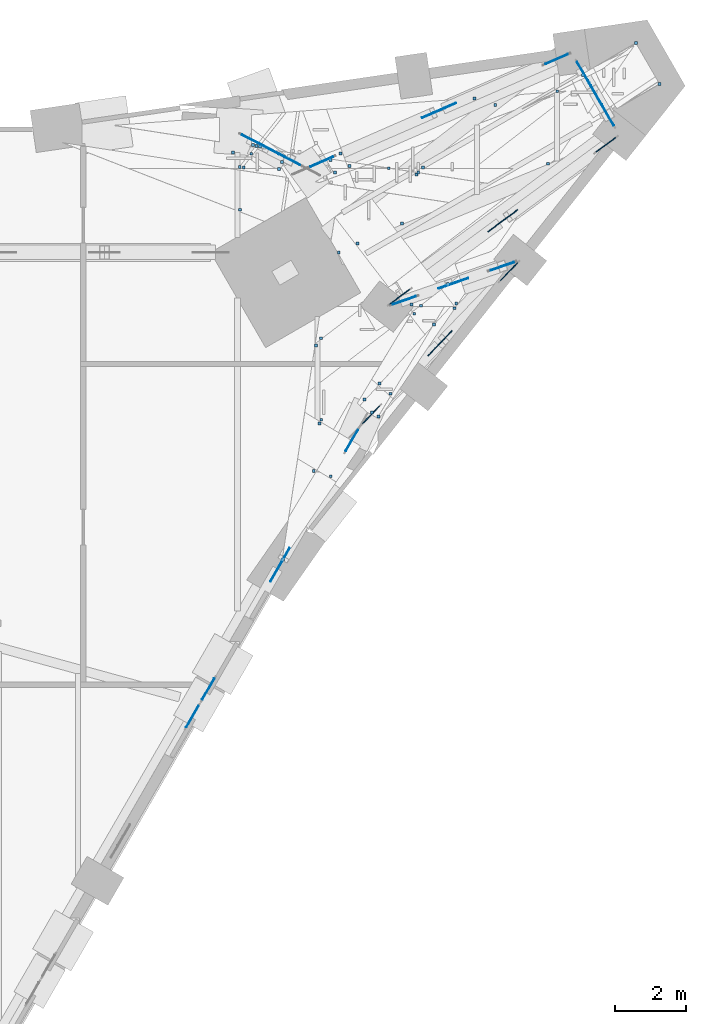
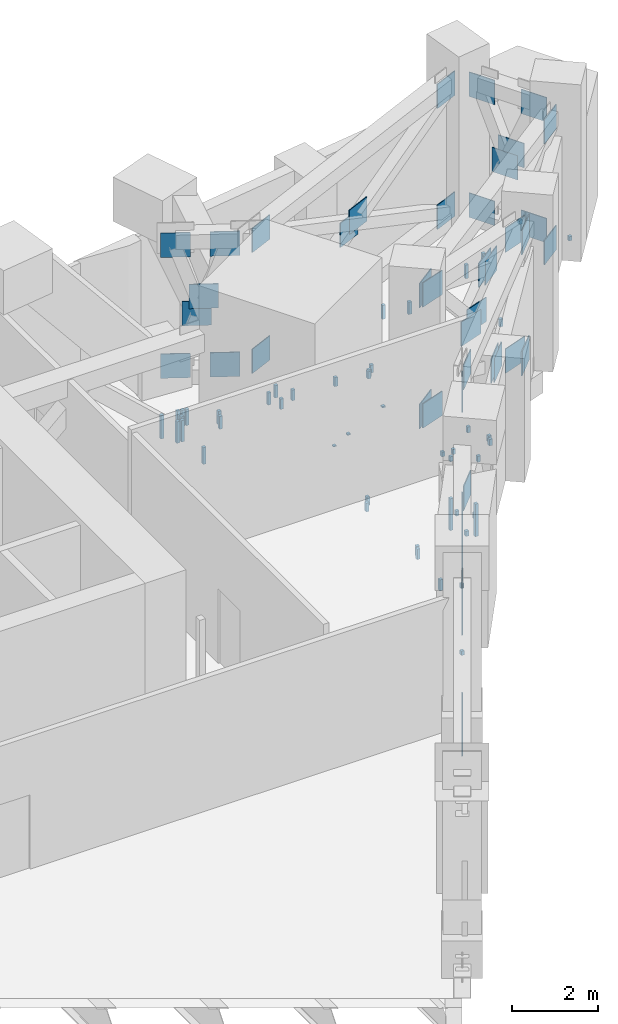
# One storey, part 20 of 22: 91 discrete accessories.
"""IFC4 building model written with IfcOpenShell, lengths in metres."""

from ifc_helpers import new_model, si_unit, direction, frame, origin, origin_2d, place, context, subcontext, project, spatial, rectangle, extrude, material, type_object, element, save


model = new_model("IFC4")

# Units and contexts
model_context = context("Model", 3, precision=1e-05, world=origin(), true_north=direction((0.0, 1.0)))
body_context = subcontext(model_context, "Body", "Model", "MODEL_VIEW")
ifc_project = project(units=[si_unit("LENGTHUNIT", "METRE"), si_unit("AREAUNIT", "SQUARE_METRE"), si_unit("VOLUMEUNIT", "CUBIC_METRE"), si_unit("PLANEANGLEUNIT", "RADIAN"), si_unit("MASSUNIT", "GRAM", prefix="KILO")], contexts=[model_context])

# Site, building, storey
site_placement = place(None, origin())
site = spatial("IfcSite", under=ifc_project, at=site_placement, CompositionType="ELEMENT")
building_placement = place(site_placement, origin())
building = spatial("IfcBuilding", under=site, at=building_placement, Name="Calabash Gate Tower", CompositionType="ELEMENT")
storey_placement = place(building_placement, frame((0.0, 0.0, 86.800048828125)))
storey = spatial("IfcBuildingStorey", under=building, at=storey_placement, Name="L18", CompositionType="ELEMENT", Elevation=86.800048828125)

# Discrete accessories
ifc_material_1 = material(Name="Steel ASTM A572 Gr50", Category="steel")
discrete_accessory_type_1 = type_object("IfcDiscreteAccessoryType", Name="Connection plate 25", PredefinedType="BRACKET", material=ifc_material_1)
for number, where, z_axis, x_axis, name in (
    (1, (23.472412109375, 2.550537109375, 3.4794921875), (0.0, 0.0, 1.0), (0.49999993954, 0.866025438691, 0.0), "Connection plate Belt diagonal L18 53 end"),
    (2, (23.472412109375, 2.550537109375, 0.0625), (0.0, 0.0, 1.0), (0.499999894195, 0.866025464871, 0.0), "Connection plate Belt diagonal (split) L18 55 half 2 of 2 end"),
    (3, (23.92236328125, 3.329833984375, 0.0625), (0.0, 0.0, 1.0), (0.49999993954, 0.866025438691, 0.0), "Connection plate Belt diagonal L18 58 start"),
    (4, (27.969970703125, 10.340576171875, 3.4794921875), (0.0, 0.0, 1.0), (0.49999993954, 0.866025438691, 0.0), "Connection plate Belt diagonal L18 58 end"),
    (5, (23.92236328125, 3.329833984375, 3.4794921875), (0.0, 0.0, 1.0), (0.49999996977, 0.866025421238, 0.0), "Connection plate Belt diagonal (split) L18 59 half 1 of 2 start"),
    (6, (25.848388671875, 6.66552734375, 1.85400390625), (0.0, 0.0, 1.0), (0.49999996977, 0.866025421238, 0.0), "Connection plate Belt diagonal (split) L18 59 half 1 of 2 end"),
    (7, (26.044189453125, 7.0048828125, 1.6884765625), (0.0, 0.0, 1.0), (0.49999996977, 0.866025421238, 0.0), "Connection plate Belt diagonal (split) L18 60 half 2 of 2 start"),
    (8, (27.969970703125, 10.340576171875, 0.0625), (0.0, 0.0, 1.0), (0.49999996977, 0.866025421238, 0.0), "Connection plate Belt diagonal (split) L18 60 half 2 of 2 end"),
    (9, (28.51123046875, 11.059814453125, 0.0625), (0.0, 0.0, 1.0), (0.694061889616, 0.719915337649, 0.0), "Connection plate Belt diagonal L18 63 start"),
    (10, (32.405029296875, 15.0986328125, 3.4794921875), (0.0, 0.0, 1.0), (0.694061889616, 0.719915337649, 0.0), "Connection plate Belt diagonal L18 63 end"),
    (11, (28.51123046875, 11.059814453125, 3.4794921875), (0.0, 0.0, 1.0), (0.694061977571, 0.719915252853, 0.0), "Connection plate Belt diagonal (split) L18 64 half 1 of 2 start"),
    (12, (30.3564453125, 12.973876953125, 1.8603515625), (0.0, 0.0, 1.0), (0.694061977571, 0.719915252853, 0.0), "Connection plate Belt diagonal (split) L18 64 half 1 of 2 end"),
    (13, (30.559814453125, 13.184814453125, 1.681640625), (0.0, 0.0, 1.0), (0.694061977571, 0.719915252853, 0.0), "Connection plate Belt diagonal (split) L18 65 half 2 of 2 start"),
    (14, (32.405029296875, 15.0986328125, 0.0625), (0.0, 0.0, 1.0), (0.694061977571, 0.719915252853, 0.0), "Connection plate Belt diagonal (split) L18 65 half 2 of 2 end"),
    (15, (32.21484375, 15.249267578125, 0.0625), (0.0, 0.0, 1.0), (-0.944636786911, -0.328117876403, 0.0), "Connection plate Belt diagonal L18 68 start"),
    (16, (29.44921875, 14.28857421875, 3.4794921875), (0.0, 0.0, 1.0), (-0.944636786911, -0.328117876403, 0.0), "Connection plate Belt diagonal L18 68 end"),
    (17, (32.21484375, 15.249267578125, 3.4794921875), (0.0, 0.0, 1.0), (-0.944636695283, -0.328118140195, 0.0), "Connection plate Belt diagonal (split) L18 69 half 1 of 2 start"),
    (18, (30.927001953125, 14.8017578125, 1.88818359375), (0.0, 0.0, 1.0), (-0.944636695283, -0.328118140195, 0.0), "Connection plate Belt diagonal (split) L18 69 half 1 of 2 end"),
    (19, (30.7373046875, 14.73583984375, 1.65380859375), (0.0, 0.0, 1.0), (-0.944636695283, -0.328118140195, 0.0), "Connection plate Belt diagonal (split) L18 70 half 2 of 2 start"),
    (20, (29.44921875, 14.28857421875, 0.0625), (0.0, 0.0, 1.0), (-0.944636695283, -0.328118140195, 0.0), "Connection plate Belt diagonal (split) L18 70 half 2 of 2 end"),
    (21, (29.32080078125, 14.390380859375, 0.0625), (0.0, 0.0, 1.0), (0.804879628595, 0.593438104163, 0.0), "Connection plate Belt diagonal L18 73 start"),
    (22, (35.135009765625, 18.677001953125, 3.4794921875), (0.0, 0.0, 1.0), (0.804879628595, 0.593438104163, 0.0), "Connection plate Belt diagonal L18 73 end"),
    (23, (29.32080078125, 14.390380859375, 3.4794921875), (0.0, 0.0, 1.0), (0.804879597523, 0.593438146306, 0.0), "Connection plate Belt diagonal (split) L18 74 half 1 of 2 start"),
    (24, (32.08447265625, 16.427978515625, 1.85546875), (0.0, 0.0, 1.0), (0.804879597523, 0.593438146306, 0.0), "Connection plate Belt diagonal (split) L18 74 half 1 of 2 end"),
    (25, (32.371337890625, 16.639404296875, 1.68701171875), (0.0, 0.0, 1.0), (0.804879597523, 0.593438146306, 0.0), "Connection plate Belt diagonal (split) L18 75 half 2 of 2 start"),
    (26, (35.135009765625, 18.677001953125, 0.0625), (0.0, 0.0, 1.0), (0.804879597523, 0.593438146306, 0.0), "Connection plate Belt diagonal (split) L18 75 half 2 of 2 end"),
    (27, (35.1875, 19.512939453125, 0.0625), (0.0, 0.0, 1.0), (-0.500000136035, 0.866025325245, 0.0), "Connection plate Belt diagonal L18 78 start"),
    (28, (34.492431640625, 20.716796875, 3.4794921875), (0.0, 0.0, 1.0), (-0.500000136035, 0.866025325245, 0.0), "Connection plate Belt diagonal L18 78 end"),
    (29, (35.1875, 19.512939453125, 3.4794921875), (0.0, 0.0, 1.0), (-0.49999990931, 0.866025456144, 0.0), "Connection plate Belt diagonal (split) L18 79 half 1 of 2 start"),
    (30, (34.881103515625, 20.043701171875, 1.97314453125), (0.0, 0.0, 1.0), (-0.49999990931, 0.866025456144, 0.0), "Connection plate Belt diagonal (split) L18 79 half 1 of 2 end"),
    (31, (34.798828125, 20.18603515625, 1.56884765625), (0.0, 0.0, 1.0), (-0.49999990931, 0.866025456144, 0.0), "Connection plate Belt diagonal (split) L18 80 half 2 of 2 start"),
    (32, (34.492431640625, 20.716796875, 0.0625), (0.0, 0.0, 1.0), (-0.49999990931, 0.866025456144, 0.0), "Connection plate Belt diagonal (split) L18 80 half 2 of 2 end"),
    (33, (33.7421875, 21.089111328125, 0.0625), (0.0, 0.0, 1.0), (-0.916372357947, -0.400326993334, 0.0), "Connection plate Belt diagonal L18 83 start"),
    (34, (27.122802734375, 18.197265625, 3.4794921875), (0.0, 0.0, 1.0), (-0.916372357947, -0.400326993334, 0.0), "Connection plate Belt diagonal L18 83 end"),
    (35, (33.7421875, 21.089111328125, 3.4794921875), (0.0, 0.0, 1.0), (-0.916372385895, -0.400326929359, 0.0), "Connection plate Belt diagonal (split) L18 84 half 1 of 2 start"),
    (36, (30.595703125, 19.714599609375, 1.85546875), (0.0, 0.0, 1.0), (-0.916372385895, -0.400326929359, 0.0), "Connection plate Belt diagonal (split) L18 84 half 1 of 2 end"),
    (37, (30.269287109375, 19.572021484375, 1.68701171875), (0.0, 0.0, 1.0), (-0.916372385895, -0.400326929359, 0.0), "Connection plate Belt diagonal (split) L18 85 half 2 of 2 start"),
    (38, (27.122802734375, 18.197265625, 0.0625), (0.0, 0.0, 1.0), (-0.916372385895, -0.400326929359, 0.0), "Connection plate Belt diagonal (split) L18 85 half 2 of 2 end"),
    (39, (26.202880859375, 18.2666015625, 0.0625), (0.0, 0.0, 1.0), (-0.887185827756, 0.461412296139, 0.0), "Connection plate Belt diagonal L18 88 start"),
    (40, (25.18408203125, 18.79638671875, 3.4794921875), (0.0, 0.0, 1.0), (-0.887185827756, 0.461412296139, 0.0), "Connection plate Belt diagonal L18 88 end"),
    (41, (26.202880859375, 18.2666015625, 3.4794921875), (0.0, 0.0, 1.0), (-0.887185666693, 0.461412605826, 0.0), "Connection plate Belt diagonal (split) L18 89 half 1 of 2 start"),
    (42, (25.764892578125, 18.494384765625, 2.01025390625), (0.0, 0.0, 1.0), (-0.887185666693, 0.461412605826, 0.0), "Connection plate Belt diagonal (split) L18 89 half 1 of 2 end"),
    (43, (25.622314453125, 18.568603515625, 1.53173828125), (0.0, 0.0, 1.0), (-0.887185666693, 0.461412605826, 0.0), "Connection plate Belt diagonal (split) L18 90 half 2 of 2 start"),
    (44, (25.18408203125, 18.79638671875, 0.0625), (0.0, 0.0, 1.0), (-0.887185666693, 0.461412605826, 0.0), "Connection plate Belt diagonal (split) L18 90 half 2 of 2 end"),
):
    element("IfcDiscreteAccessory", number, at=place(storey_placement, frame(where, z_axis=z_axis, x_axis=x_axis)), inside=storey, type_object=discrete_accessory_type_1, Name=name, PredefinedType="BRACKET", context=body_context, shape_type="SweptSolid", body=[
        extrude(rectangle(XDim=0.687744140625, YDim=0.02490234375, at=origin_2d()), origin(), (0.0, 0.0, 1.0), 0.687744140625),
    ])
ifc_material_2 = material(Name="Stainless steel 316 bracket", Category="steel")
discrete_accessory_type_2 = type_object("IfcDiscreteAccessoryType", Name="Soffit bracket 80x80x120", PredefinedType="BRACKET", material=ifc_material_2)
discrete_accessory_1_placement = place(storey_placement, frame((33.501708984375, 18.1396484375, -0.9833984375), z_axis=(0.0, 0.0, 1.0), x_axis=(1.0, 0.0, 0.0)))
element("IfcDiscreteAccessory", 45, at=discrete_accessory_1_placement, inside=storey, type_object=discrete_accessory_type_2, Name="Soffit bracket Z2 NE SOF-Z2-NE-01", PredefinedType="BRACKET", context=body_context, shape_type="SweptSolid", body=[
    extrude(rectangle(XDim=0.080078125, YDim=0.080078125, at=origin_2d()), origin(), (0.0, 0.0, 1.0), 0.21337890625),
])
discrete_accessory_2_placement = place(storey_placement, frame((29.981689453125, 18.03271484375, -0.9921875), z_axis=(0.0, 0.0, 1.0), x_axis=(1.0, 0.0, 0.0)))
element("IfcDiscreteAccessory", 46, at=discrete_accessory_2_placement, inside=storey, type_object=discrete_accessory_type_2, Name="Soffit bracket Z2 NE SOF-Z2-NE-02", PredefinedType="BRACKET", context=body_context, shape_type="SweptSolid", body=[
    extrude(rectangle(XDim=0.080078125, YDim=0.080078125, at=origin_2d()), origin(), (0.0, 0.0, 1.0), 0.22216796875),
])
discrete_accessory_3_placement = place(storey_placement, frame((29.384521484375, 16.454345703125, -0.8095703125), z_axis=(0.0, 0.0, 1.0), x_axis=(1.0, 0.0, 0.0)))
element("IfcDiscreteAccessory", 47, at=discrete_accessory_3_placement, inside=storey, type_object=discrete_accessory_type_2, Name="Soffit bracket Z2 NE SOF-Z2-NE-03", PredefinedType="BRACKET", context=body_context, shape_type="SweptSolid", body=[
    extrude(rectangle(XDim=0.080078125, YDim=0.080078125, at=origin_2d()), origin(), (0.0, 0.0, 1.0), 0.03955078125),
])
discrete_accessory_4_placement = place(storey_placement, frame((32.01708984375, 19.794677734375, -1.1181640625), z_axis=(0.0, 0.0, 1.0), x_axis=(1.0, 0.0, 0.0)))
element("IfcDiscreteAccessory", 48, at=discrete_accessory_4_placement, inside=storey, type_object=discrete_accessory_type_2, Name="Soffit bracket Z2 NE SOF-Z2-NE-05", PredefinedType="BRACKET", context=body_context, shape_type="SweptSolid", body=[
    extrude(rectangle(XDim=0.080078125, YDim=0.080078125, at=origin_2d()), origin(), (0.0, 0.0, 1.0), 0.34814453125),
])
discrete_accessory_5_placement = place(storey_placement, frame((24.818603515625, 16.844970703125, -1.042724609375), z_axis=(0.0, 0.0, 1.0), x_axis=(1.0, 0.0, 0.0)))
element("IfcDiscreteAccessory", 49, at=discrete_accessory_5_placement, inside=storey, type_object=discrete_accessory_type_2, Name="Soffit bracket Z2 NE SOF-Z2-NE-06", PredefinedType="BRACKET", context=body_context, shape_type="SweptSolid", body=[
    extrude(rectangle(XDim=0.080078125, YDim=0.080078125, at=origin_2d()), origin(), (0.0, 0.0, 1.0), 0.47412109375),
])
discrete_accessory_6_placement = place(storey_placement, frame((24.620361328125, 18.456787109375, -1.23193359375), z_axis=(0.0, 0.0, 1.0), x_axis=(1.0, 0.0, 0.0)))
element("IfcDiscreteAccessory", 50, at=discrete_accessory_6_placement, inside=storey, type_object=discrete_accessory_type_2, Name="Soffit bracket Z2 NE SOF-Z2-NE-07", PredefinedType="BRACKET", context=body_context, shape_type="SweptSolid", body=[
    extrude(rectangle(XDim=0.080078125, YDim=0.080078125, at=origin_2d()), origin(), (0.0, 0.0, 1.0), 0.663330078125),
])
discrete_accessory_7_placement = place(storey_placement, frame((30.67333984375, 14.748046875, -0.9326171875), z_axis=(0.0, 0.0, 1.0), x_axis=(1.0, 0.0, 0.0)))
element("IfcDiscreteAccessory", 51, at=discrete_accessory_7_placement, inside=storey, type_object=discrete_accessory_type_2, Name="Soffit bracket Z2 NE SOF-Z2-NE-08", PredefinedType="BRACKET", context=body_context, shape_type="SweptSolid", body=[
    extrude(rectangle(XDim=0.080078125, YDim=0.080078125, at=origin_2d()), origin(), (0.0, 0.0, 1.0), 0.162841796875),
])
discrete_accessory_8_placement = place(storey_placement, frame((27.106689453125, 10.92236328125, -0.860595703125), z_axis=(0.0, 0.0, 1.0), x_axis=(1.0, 0.0, 0.0)))
element("IfcDiscreteAccessory", 52, at=discrete_accessory_8_placement, inside=storey, type_object=discrete_accessory_type_2, Name="Soffit bracket Z2 NE SOF-Z2-NE-09", PredefinedType="BRACKET", context=body_context, shape_type="SweptSolid", body=[
    extrude(rectangle(XDim=0.080078125, YDim=0.080078125, at=origin_2d()), origin(), (0.0, 0.0, 1.0), 0.2919921875),
])
discrete_accessory_9_placement = place(storey_placement, frame((28.128662109375, 15.892822265625, -0.8095703125), z_axis=(0.0, 0.0, 1.0), x_axis=(1.0, 0.0, 0.0)))
element("IfcDiscreteAccessory", 53, at=discrete_accessory_9_placement, inside=storey, type_object=discrete_accessory_type_2, Name="Soffit bracket Z2 NE SOF-Z2-NE-10", PredefinedType="BRACKET", context=body_context, shape_type="SweptSolid", body=[
    extrude(rectangle(XDim=0.080078125, YDim=0.080078125, at=origin_2d()), origin(), (0.0, 0.0, 1.0), 0.03955078125),
])
discrete_accessory_10_placement = place(storey_placement, frame((31.42578125, 19.9833984375, -1.16064453125), z_axis=(0.0, 0.0, 1.0), x_axis=(1.0, 0.0, 0.0)))
element("IfcDiscreteAccessory", 54, at=discrete_accessory_10_placement, inside=storey, type_object=discrete_accessory_type_2, Name="Soffit bracket Z2 NE SOF-Z2-NE-11", PredefinedType="BRACKET", context=body_context, shape_type="SweptSolid", body=[
    extrude(rectangle(XDim=0.080078125, YDim=0.080078125, at=origin_2d()), origin(), (0.0, 0.0, 1.0), 0.390625),
])
discrete_accessory_11_placement = place(storey_placement, frame((29.7958984375, 17.842529296875, -0.9775390625), z_axis=(0.0, 0.0, 1.0), x_axis=(1.0, 0.0, 0.0)))
element("IfcDiscreteAccessory", 55, at=discrete_accessory_11_placement, inside=storey, type_object=discrete_accessory_type_2, Name="Soffit bracket Z2 NE SOF-Z2-NE-12", PredefinedType="BRACKET", context=body_context, shape_type="SweptSolid", body=[
    extrude(rectangle(XDim=0.080078125, YDim=0.080078125, at=origin_2d()), origin(), (0.0, 0.0, 1.0), 0.207275390625),
])
discrete_accessory_12_placement = place(storey_placement, frame((26.96435546875, 13.013427734375, -0.816162109375), z_axis=(0.0, 0.0, 1.0), x_axis=(1.0, 0.0, 0.0)))
element("IfcDiscreteAccessory", 56, at=discrete_accessory_12_placement, inside=storey, type_object=discrete_accessory_type_2, Name="Soffit bracket Z2 NE SOF-Z2-NE-13", PredefinedType="BRACKET", context=body_context, shape_type="SweptSolid", body=[
    extrude(rectangle(XDim=0.080078125, YDim=0.080078125, at=origin_2d()), origin(), (0.0, 0.0, 1.0), 0.24755859375),
])
discrete_accessory_13_placement = place(storey_placement, frame((27.603759765625, 15.637451171875, -0.79345703125), z_axis=(0.0, 0.0, 1.0), x_axis=(1.0, 0.0, 0.0)))
element("IfcDiscreteAccessory", 57, at=discrete_accessory_13_placement, inside=storey, type_object=discrete_accessory_type_2, Name="Soffit bracket Z2 NE SOF-Z2-NE-14", PredefinedType="BRACKET", context=body_context, shape_type="SweptSolid", body=[
    extrude(rectangle(XDim=0.080078125, YDim=0.080078125, at=origin_2d()), origin(), (0.0, 0.0, 1.0), 0.023193359375),
])
discrete_accessory_14_placement = place(storey_placement, frame((26.0263671875, 6.984619140625, -0.89013671875), z_axis=(0.0, 0.0, 1.0), x_axis=(1.0, 0.0, 0.0)))
element("IfcDiscreteAccessory", 58, at=discrete_accessory_14_placement, inside=storey, type_object=discrete_accessory_type_2, Name="Soffit bracket Z2 NE SOF-Z2-NE-16", PredefinedType="BRACKET", context=body_context, shape_type="SweptSolid", body=[
    extrude(rectangle(XDim=0.080078125, YDim=0.080078125, at=origin_2d()), origin(), (0.0, 0.0, 1.0), 0.1201171875),
])
discrete_accessory_15_placement = place(storey_placement, frame((27.0595703125, 10.81591796875, -0.86083984375), z_axis=(0.0, 0.0, 1.0), x_axis=(1.0, 0.0, 0.0)))
element("IfcDiscreteAccessory", 59, at=discrete_accessory_15_placement, inside=storey, type_object=discrete_accessory_type_2, Name="Soffit bracket Z2 NE SOF-Z2-NE-17", PredefinedType="BRACKET", context=body_context, shape_type="SweptSolid", body=[
    extrude(rectangle(XDim=0.080078125, YDim=0.080078125, at=origin_2d()), origin(), (0.0, 0.0, 1.0), 0.292236328125),
])
discrete_accessory_16_placement = place(storey_placement, frame((28.75, 11.940673828125, -0.90771484375), z_axis=(0.0, 0.0, 1.0), x_axis=(1.0, 0.0, 0.0)))
element("IfcDiscreteAccessory", 60, at=discrete_accessory_16_placement, inside=storey, type_object=discrete_accessory_type_2, Name="Soffit bracket Z2 NE SOF-Z2-NE-20", PredefinedType="BRACKET", context=body_context, shape_type="SweptSolid", body=[
    extrude(rectangle(XDim=0.080078125, YDim=0.080078125, at=origin_2d()), origin(), (0.0, 0.0, 1.0), 0.137451171875),
])
discrete_accessory_17_placement = place(storey_placement, frame((29.65625, 14.170654296875, -0.90283203125), z_axis=(0.0, 0.0, 1.0), x_axis=(1.0, 0.0, 0.0)))
element("IfcDiscreteAccessory", 61, at=discrete_accessory_17_placement, inside=storey, type_object=discrete_accessory_type_2, Name="Soffit bracket Z2 NE SOF-Z2-NE-21", PredefinedType="BRACKET", context=body_context, shape_type="SweptSolid", body=[
    extrude(rectangle(XDim=0.080078125, YDim=0.080078125, at=origin_2d()), origin(), (0.0, 0.0, 1.0), 0.132568359375),
])
discrete_accessory_18_placement = place(storey_placement, frame((27.37646484375, 9.33154296875, -0.90087890625), z_axis=(0.0, 0.0, 1.0), x_axis=(1.0, 0.0, 0.0)))
element("IfcDiscreteAccessory", 62, at=discrete_accessory_18_placement, inside=storey, type_object=discrete_accessory_type_2, Name="Soffit bracket Z2 NE SOF-Z2-NE-22", PredefinedType="BRACKET", context=body_context, shape_type="SweptSolid", body=[
    extrude(rectangle(XDim=0.080078125, YDim=0.080078125, at=origin_2d()), origin(), (0.0, 0.0, 1.0), 0.130859375),
])
discrete_accessory_19_placement = place(storey_placement, frame((29.843017578125, 17.897216796875, -0.98193359375), z_axis=(0.0, 0.0, 1.0), x_axis=(1.0, 0.0, 0.0)))
element("IfcDiscreteAccessory", 63, at=discrete_accessory_19_placement, inside=storey, type_object=discrete_accessory_type_2, Name="Soffit bracket Z2 NE SOF-Z2-NE-24", PredefinedType="BRACKET", context=body_context, shape_type="SweptSolid", body=[
    extrude(rectangle(XDim=0.080078125, YDim=0.080078125, at=origin_2d()), origin(), (0.0, 0.0, 1.0), 0.211669921875),
])
discrete_accessory_20_placement = place(storey_placement, frame((27.097900390625, 13.220458984375, -0.81787109375), z_axis=(0.0, 0.0, 1.0), x_axis=(1.0, 0.0, 0.0)))
element("IfcDiscreteAccessory", 64, at=discrete_accessory_20_placement, inside=storey, type_object=discrete_accessory_type_2, Name="Soffit bracket Z2 NE SOF-Z2-NE-28", PredefinedType="BRACKET", context=body_context, shape_type="SweptSolid", body=[
    extrude(rectangle(XDim=0.080078125, YDim=0.080078125, at=origin_2d()), origin(), (0.0, 0.0, 1.0), 0.249267578125),
])
discrete_accessory_21_placement = place(storey_placement, frame((30.864990234375, 14.06494140625, -0.953125), z_axis=(0.0, 0.0, 1.0), x_axis=(1.0, 0.0, 0.0)))
element("IfcDiscreteAccessory", 65, at=discrete_accessory_21_placement, inside=storey, type_object=discrete_accessory_type_2, Name="Soffit bracket Z2 NE SOF-Z2-NE-29", PredefinedType="BRACKET", context=body_context, shape_type="SweptSolid", body=[
    extrude(rectangle(XDim=0.080078125, YDim=0.080078125, at=origin_2d()), origin(), (0.0, 0.0, 1.0), 0.18310546875),
])
discrete_accessory_22_placement = place(storey_placement, frame((29.061767578125, 11.654541015625, -0.92529296875), z_axis=(0.0, 0.0, 1.0), x_axis=(1.0, 0.0, 0.0)))
element("IfcDiscreteAccessory", 66, at=discrete_accessory_22_placement, inside=storey, type_object=discrete_accessory_type_2, Name="Soffit bracket Z2 NE SOF-Z2-NE-30", PredefinedType="BRACKET", context=body_context, shape_type="SweptSolid", body=[
    extrude(rectangle(XDim=0.080078125, YDim=0.080078125, at=origin_2d()), origin(), (0.0, 0.0, 1.0), 0.1552734375),
])
discrete_accessory_23_placement = place(storey_placement, frame((26.8955078125, 9.48193359375, -0.87890625), z_axis=(0.0, 0.0, 1.0), x_axis=(1.0, 0.0, 0.0)))
element("IfcDiscreteAccessory", 67, at=discrete_accessory_23_placement, inside=storey, type_object=discrete_accessory_type_2, Name="Soffit bracket Z2 NE SOF-Z2-NE-31", PredefinedType="BRACKET", context=body_context, shape_type="SweptSolid", body=[
    extrude(rectangle(XDim=0.080078125, YDim=0.080078125, at=origin_2d()), origin(), (0.0, 0.0, 1.0), 0.310302734375),
])
discrete_accessory_24_placement = place(storey_placement, frame((25.9990234375, 18.18701171875, -1.15185546875), z_axis=(0.0, 0.0, 1.0), x_axis=(1.0, 0.0, 0.0)))
element("IfcDiscreteAccessory", 68, at=discrete_accessory_24_placement, inside=storey, type_object=discrete_accessory_type_2, Name="Soffit bracket Z2 NE SOF-Z2-NE-32", PredefinedType="BRACKET", context=body_context, shape_type="SweptSolid", body=[
    extrude(rectangle(XDim=0.080078125, YDim=0.080078125, at=origin_2d()), origin(), (0.0, 0.0, 1.0), 0.3818359375),
])
discrete_accessory_25_placement = place(storey_placement, frame((29.729248046875, 13.91259765625, -0.91064453125), z_axis=(0.0, 0.0, 1.0), x_axis=(1.0, 0.0, 0.0)))
element("IfcDiscreteAccessory", 69, at=discrete_accessory_25_placement, inside=storey, type_object=discrete_accessory_type_2, Name="Soffit bracket Z2 NE SOF-Z2-NE-33", PredefinedType="BRACKET", context=body_context, shape_type="SweptSolid", body=[
    extrude(rectangle(XDim=0.080078125, YDim=0.080078125, at=origin_2d()), origin(), (0.0, 0.0, 1.0), 0.140380859375),
])
discrete_accessory_26_placement = place(storey_placement, frame((28.53857421875, 11.124267578125, -0.9140625), z_axis=(0.0, 0.0, 1.0), x_axis=(1.0, 0.0, 0.0)))
element("IfcDiscreteAccessory", 70, at=discrete_accessory_26_placement, inside=storey, type_object=discrete_accessory_type_2, Name="Soffit bracket Z2 NE SOF-Z2-NE-35", PredefinedType="BRACKET", context=body_context, shape_type="SweptSolid", body=[
    extrude(rectangle(XDim=0.080078125, YDim=0.080078125, at=origin_2d()), origin(), (0.0, 0.0, 1.0), 0.144287109375),
])
discrete_accessory_27_placement = place(storey_placement, frame((30.913330078125, 14.197265625, -0.95263671875), z_axis=(0.0, 0.0, 1.0), x_axis=(1.0, 0.0, 0.0)))
element("IfcDiscreteAccessory", 71, at=discrete_accessory_27_placement, inside=storey, type_object=discrete_accessory_type_2, Name="Soffit bracket Z2 NE SOF-Z2-NE-38", PredefinedType="BRACKET", context=body_context, shape_type="SweptSolid", body=[
    extrude(rectangle(XDim=0.080078125, YDim=0.080078125, at=origin_2d()), origin(), (0.0, 0.0, 1.0), 0.1826171875),
])
discrete_accessory_28_placement = place(storey_placement, frame((29.9248046875, 14.136474609375, -0.9140625), z_axis=(0.0, 0.0, 1.0), x_axis=(1.0, 0.0, 0.0)))
element("IfcDiscreteAccessory", 72, at=discrete_accessory_28_placement, inside=storey, type_object=discrete_accessory_type_2, Name="Soffit bracket Z2 NE SOF-Z2-NE-39", PredefinedType="BRACKET", context=body_context, shape_type="SweptSolid", body=[
    extrude(rectangle(XDim=0.080078125, YDim=0.080078125, at=origin_2d()), origin(), (0.0, 0.0, 1.0), 0.14404296875),
])
discrete_accessory_29_placement = place(storey_placement, frame((25.91845703125, 17.991455078125, -1.1328125), z_axis=(0.0, 0.0, 1.0), x_axis=(1.0, 0.0, 0.0)))
element("IfcDiscreteAccessory", 73, at=discrete_accessory_29_placement, inside=storey, type_object=discrete_accessory_type_2, Name="Soffit bracket Z2 NE SOF-Z2-NE-42", PredefinedType="BRACKET", context=body_context, shape_type="SweptSolid", body=[
    extrude(rectangle(XDim=0.080078125, YDim=0.080078125, at=origin_2d()), origin(), (0.0, 0.0, 1.0), 0.36279296875),
])
discrete_accessory_30_placement = place(storey_placement, frame((28.32861328125, 11.49365234375, -0.89892578125), z_axis=(0.0, 0.0, 1.0), x_axis=(1.0, 0.0, 0.0)))
element("IfcDiscreteAccessory", 74, at=discrete_accessory_30_placement, inside=storey, type_object=discrete_accessory_type_2, Name="Soffit bracket Z2 NE SOF-Z2-NE-44", PredefinedType="BRACKET", context=body_context, shape_type="SweptSolid", body=[
    extrude(rectangle(XDim=0.080078125, YDim=0.080078125, at=origin_2d()), origin(), (0.0, 0.0, 1.0), 0.90087890625),
])
discrete_accessory_31_placement = place(storey_placement, frame((27.6533203125, 18.429931640625, -1.1201171875), z_axis=(0.0, 0.0, 1.0), x_axis=(1.0, 0.0, 0.0)))
element("IfcDiscreteAccessory", 75, at=discrete_accessory_31_placement, inside=storey, type_object=discrete_accessory_type_2, Name="Soffit bracket Z2 NE SOF-Z2-NE-45", PredefinedType="BRACKET", context=body_context, shape_type="SweptSolid", body=[
    extrude(rectangle(XDim=0.080078125, YDim=0.080078125, at=origin_2d()), origin(), (0.0, 0.0, 1.0), 0.35009765625),
])
discrete_accessory_32_placement = place(storey_placement, frame((27.365966796875, 18.250732421875, -1.1103515625), z_axis=(0.0, 0.0, 1.0), x_axis=(1.0, 0.0, 0.0)))
element("IfcDiscreteAccessory", 76, at=discrete_accessory_32_placement, inside=storey, type_object=discrete_accessory_type_2, Name="Soffit bracket Z2 NE SOF-Z2-NE-46", PredefinedType="BRACKET", context=body_context, shape_type="SweptSolid", body=[
    extrude(rectangle(XDim=0.080078125, YDim=0.080078125, at=origin_2d()), origin(), (0.0, 0.0, 1.0), 0.34033203125),
])
discrete_accessory_33_placement = place(storey_placement, frame((27.495361328125, 17.89453125, -1.0654296875), z_axis=(0.0, 0.0, 1.0), x_axis=(1.0, 0.0, 0.0)))
element("IfcDiscreteAccessory", 77, at=discrete_accessory_33_placement, inside=storey, type_object=discrete_accessory_type_2, Name="Soffit bracket Z2 NE SOF-Z2-NE-47", PredefinedType="BRACKET", context=body_context, shape_type="SweptSolid", body=[
    extrude(rectangle(XDim=0.080078125, YDim=0.080078125, at=origin_2d()), origin(), (0.0, 0.0, 1.0), 0.29541015625),
])
discrete_accessory_34_placement = place(storey_placement, frame((25.179443359375, 18.666748046875, -1.2353515625), z_axis=(0.0, 0.0, 1.0), x_axis=(1.0, 0.0, 0.0)))
element("IfcDiscreteAccessory", 78, at=discrete_accessory_34_placement, inside=storey, type_object=discrete_accessory_type_2, Name="Soffit bracket Z2 NE SOF-Z2-NE-48", PredefinedType="BRACKET", context=body_context, shape_type="SweptSolid", body=[
    extrude(rectangle(XDim=0.080078125, YDim=0.080078125, at=origin_2d()), origin(), (0.0, 0.0, 1.0), 0.46533203125),
])
discrete_accessory_35_placement = place(storey_placement, frame((34.48095703125, 20.637451171875, -0.9755859375), z_axis=(0.0, 0.0, 1.0), x_axis=(1.0, 0.0, 0.0)))
element("IfcDiscreteAccessory", 79, at=discrete_accessory_35_placement, inside=storey, type_object=discrete_accessory_type_2, Name="Soffit bracket Z2 NE SOF-Z2-NE-51", PredefinedType="BRACKET", context=body_context, shape_type="SweptSolid", body=[
    extrude(rectangle(XDim=0.080078125, YDim=0.080078125, at=origin_2d()), origin(), (0.0, 0.0, 1.0), 0.205322265625),
])
discrete_accessory_36_placement = place(storey_placement, frame((25.384033203125, 18.619384765625, -1.22265625), z_axis=(0.0, 0.0, 1.0), x_axis=(1.0, 0.0, 0.0)))
element("IfcDiscreteAccessory", 80, at=discrete_accessory_36_placement, inside=storey, type_object=discrete_accessory_type_2, Name="Soffit bracket Z2 NE SOF-Z2-NE-52", PredefinedType="BRACKET", context=body_context, shape_type="SweptSolid", body=[
    extrude(rectangle(XDim=0.080078125, YDim=0.080078125, at=origin_2d()), origin(), (0.0, 0.0, 1.0), 0.452880859375),
])
discrete_accessory_37_placement = place(storey_placement, frame((33.7646484375, 20.18505859375, -0.953857421875), z_axis=(0.0, 0.0, 1.0), x_axis=(1.0, 0.0, 0.0)))
element("IfcDiscreteAccessory", 81, at=discrete_accessory_37_placement, inside=storey, type_object=discrete_accessory_type_2, Name="Soffit bracket Z2 NE SOF-Z2-NE-53", PredefinedType="BRACKET", context=body_context, shape_type="SweptSolid", body=[
    extrude(rectangle(XDim=0.080078125, YDim=0.080078125, at=origin_2d()), origin(), (0.0, 0.0, 1.0), 0.38525390625),
])
discrete_accessory_38_placement = place(storey_placement, frame((24.925048828125, 18.039794921875, -1.173828125), z_axis=(0.0, 0.0, 1.0), x_axis=(1.0, 0.0, 0.0)))
element("IfcDiscreteAccessory", 82, at=discrete_accessory_38_placement, inside=storey, type_object=discrete_accessory_type_2, Name="Soffit bracket Z2 NE SOF-Z2-NE-54", PredefinedType="BRACKET", context=body_context, shape_type="SweptSolid", body=[
    extrude(rectangle(XDim=0.080078125, YDim=0.080078125, at=origin_2d()), origin(), (0.0, 0.0, 1.0), 0.605224609375),
])
discrete_accessory_39_placement = place(storey_placement, frame((27.906982421875, 18.074462890625, -1.0712890625), z_axis=(0.0, 0.0, 1.0), x_axis=(1.0, 0.0, 0.0)))
element("IfcDiscreteAccessory", 83, at=discrete_accessory_39_placement, inside=storey, type_object=discrete_accessory_type_2, Name="Soffit bracket Z2 NE SOF-Z2-NE-56", PredefinedType="BRACKET", context=body_context, shape_type="SweptSolid", body=[
    extrude(rectangle(XDim=0.080078125, YDim=0.080078125, at=origin_2d()), origin(), (0.0, 0.0, 1.0), 0.301025390625),
])
discrete_accessory_40_placement = place(storey_placement, frame((28.7265625, 11.0166015625, -0.923828125), z_axis=(0.0, 0.0, 1.0), x_axis=(1.0, 0.0, 0.0)))
element("IfcDiscreteAccessory", 84, at=discrete_accessory_40_placement, inside=storey, type_object=discrete_accessory_type_2, Name="Soffit bracket Z2 NE SOF-Z2-NE-58", PredefinedType="BRACKET", context=body_context, shape_type="SweptSolid", body=[
    extrude(rectangle(XDim=0.080078125, YDim=0.080078125, at=origin_2d()), origin(), (0.0, 0.0, 1.0), 0.92578125),
])
discrete_accessory_41_placement = place(storey_placement, frame((29.013916015625, 18.016357421875, -1.02490234375), z_axis=(0.0, 0.0, 1.0), x_axis=(1.0, 0.0, 0.0)))
element("IfcDiscreteAccessory", 85, at=discrete_accessory_41_placement, inside=storey, type_object=discrete_accessory_type_2, Name="Soffit bracket Z2 NE SOF-Z2-NE-60", PredefinedType="BRACKET", context=body_context, shape_type="SweptSolid", body=[
    extrude(rectangle(XDim=0.080078125, YDim=0.080078125, at=origin_2d()), origin(), (0.0, 0.0, 1.0), 0.2548828125),
])
discrete_accessory_42_placement = place(storey_placement, frame((30.287841796875, 13.611083984375, -0.9384765625), z_axis=(0.0, 0.0, 1.0), x_axis=(1.0, 0.0, 0.0)))
element("IfcDiscreteAccessory", 86, at=discrete_accessory_42_placement, inside=storey, type_object=discrete_accessory_type_2, Name="Soffit bracket Z2 NE SOF-Z2-NE-61", PredefinedType="BRACKET", context=body_context, shape_type="SweptSolid", body=[
    extrude(rectangle(XDim=0.080078125, YDim=0.080078125, at=origin_2d()), origin(), (0.0, 0.0, 1.0), 0.16845703125),
])
discrete_accessory_43_placement = place(storey_placement, frame((24.812255859375, 18.0498046875, -1.17919921875), z_axis=(0.0, 0.0, 1.0), x_axis=(1.0, 0.0, 0.0)))
element("IfcDiscreteAccessory", 87, at=discrete_accessory_43_placement, inside=storey, type_object=discrete_accessory_type_2, Name="Soffit bracket Z2 NE SOF-Z2-NE-63", PredefinedType="BRACKET", context=body_context, shape_type="SweptSolid", body=[
    extrude(rectangle(XDim=0.080078125, YDim=0.080078125, at=origin_2d()), origin(), (0.0, 0.0, 1.0), 0.610595703125),
])
discrete_accessory_44_placement = place(storey_placement, frame((25.133056640625, 18.424072265625, -1.2099609375), z_axis=(0.0, 0.0, 1.0), x_axis=(1.0, 0.0, 0.0)))
element("IfcDiscreteAccessory", 88, at=discrete_accessory_44_placement, inside=storey, type_object=discrete_accessory_type_2, Name="Soffit bracket Z2 NE SOF-Z2-NE-64", PredefinedType="BRACKET", context=body_context, shape_type="SweptSolid", body=[
    extrude(rectangle(XDim=0.080078125, YDim=0.080078125, at=origin_2d()), origin(), (0.0, 0.0, 1.0), 0.439697265625),
])
discrete_accessory_45_placement = place(storey_placement, frame((25.283935546875, 18.642578125, -1.22900390625), z_axis=(0.0, 0.0, 1.0), x_axis=(1.0, 0.0, 0.0)))
element("IfcDiscreteAccessory", 89, at=discrete_accessory_45_placement, inside=storey, type_object=discrete_accessory_type_2, Name="Soffit bracket Z2 NE SOF-Z2-NE-66", PredefinedType="BRACKET", context=body_context, shape_type="SweptSolid", body=[
    extrude(rectangle(XDim=0.080078125, YDim=0.080078125, at=origin_2d()), origin(), (0.0, 0.0, 1.0), 0.458984375),
])
for number, where, z_axis, x_axis, name in (
    (90, (36.646484375, 20.390625, -1.02001953125), (0.0, 0.0, 1.0), (1.0, 0.0, 0.0), "Soffit bracket Z2 NE 1"),
    (91, (35.982177734375, 21.54150390625, -1.02001953125), (0.0, 0.0, 1.0), (1.0, 0.0, 0.0), "Soffit bracket Z2 NE 2"),
):
    element("IfcDiscreteAccessory", number, at=place(storey_placement, frame(where, z_axis=z_axis, x_axis=x_axis)), inside=storey, type_object=discrete_accessory_type_2, Name=name, PredefinedType="BRACKET", context=body_context, shape_type="SweptSolid", body=[
        extrude(rectangle(XDim=0.080078125, YDim=0.080078125, at=origin_2d()), origin(), (0.0, 0.0, 1.0), 0.1201171875),
    ])

save(model, "model.ifc")
